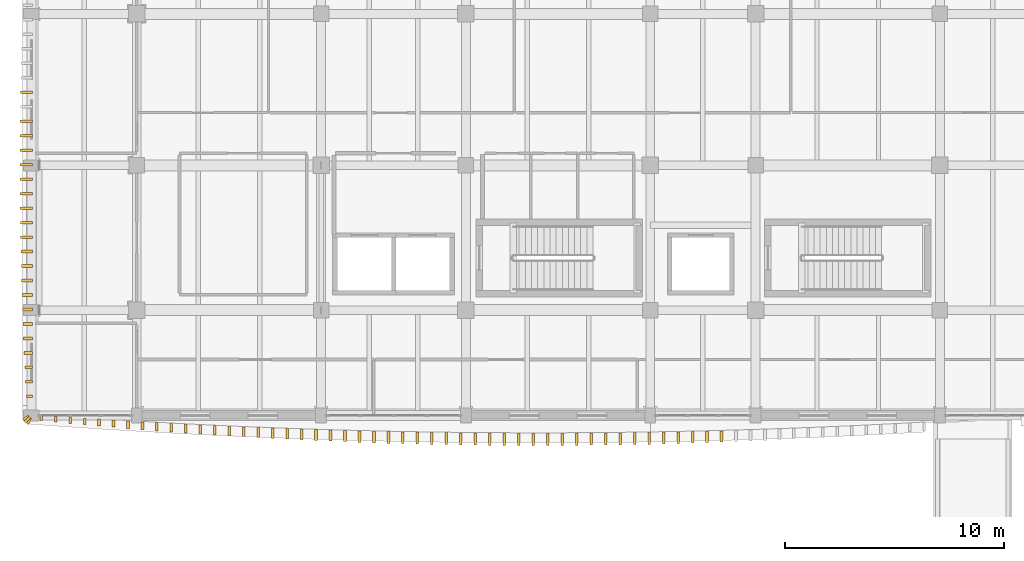
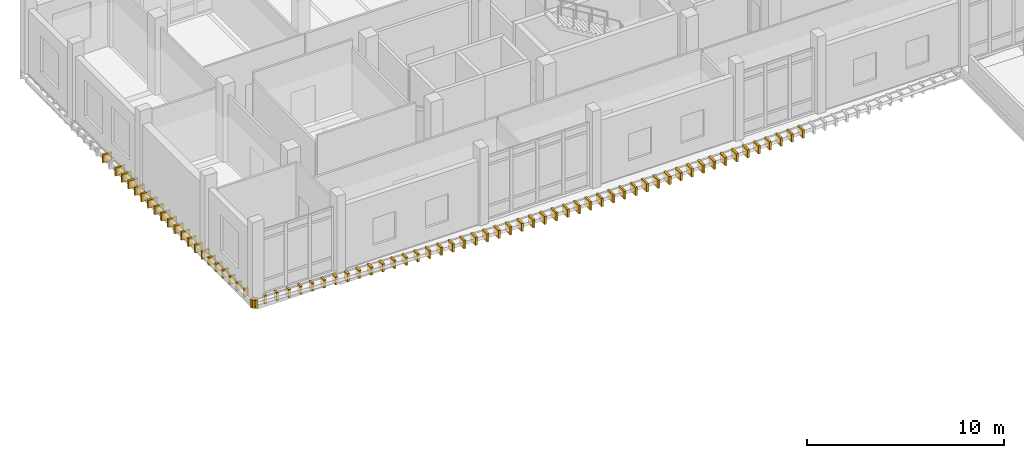
# One storey, part 69 of 76: 72 coverings.
"""IFC4 building model written with IfcOpenShell, lengths in metres."""

from ifc_helpers import new_model, si_unit, direction, frame, origin, origin_2d, place, context, subcontext, project, spatial, rectangle, extrude, material, layer, layer_set, type_object, element, save


model = new_model("IFC4")

# Units and contexts
model_context = context("Model", 3, precision=1e-05, world=origin(), true_north=direction((0.0, 1.0)))
body_context = subcontext(model_context, "Body", "Model", "MODEL_VIEW")
ifc_project = project(units=[si_unit("LENGTHUNIT", "METRE"), si_unit("AREAUNIT", "SQUARE_METRE"), si_unit("VOLUMEUNIT", "CUBIC_METRE"), si_unit("PLANEANGLEUNIT", "RADIAN"), si_unit("MASSUNIT", "GRAM", prefix="KILO")], contexts=[model_context])

# Site, building, storey
site_placement = place(None, origin())
site = spatial("IfcSite", under=ifc_project, at=site_placement, CompositionType="ELEMENT")
building_placement = place(site_placement, origin())
building = spatial("IfcBuilding", under=site, at=building_placement, Name="Dornvale Research Institute", CompositionType="ELEMENT")
storey_placement = place(building_placement, frame((0.0, 0.0, 15.0)))
storey = spatial("IfcBuildingStorey", under=building, at=storey_placement, Name="L03", CompositionType="ELEMENT", Elevation=15.0)

# Coverings
ifc_material = material(Name="Polychrome Glazed Terracotta Visor Rib Ceramic", Category="masonry")
ifc_layer = layer(ifc_material, 0.1201171875)
ifc_layer_set = layer_set([ifc_layer], Name="Polychrome Glazed Terracotta Visor Rib Ceramic")
covering_type = type_object("IfcCoveringType", Name="Covering_VisorBlade_Main", PredefinedType="CLADDING", material=ifc_layer_set)
covering_1_placement = place(storey_placement, frame((0.448974609375, 98.8916015625, -0.489990234375), z_axis=(0.0, 0.0, 1.0), x_axis=(0.0, 1.0, 0.0)))
element("IfcCovering", 1, at=covering_1_placement, inside=storey, type_object=covering_type, Name="L03 V5 canted glazed terracotta visor blade #411", PredefinedType="CLADDING", context=body_context, shape_type="SweptSolid", body=[
    extrude(rectangle(XDim=0.23291015625, YDim=0.1201171875, at=origin_2d()), origin(), (0.0, 0.0, 1.0), 0.5),
])
covering_2_placement = place(storey_placement, frame((1.107177734375, 98.83544921875, -0.489990234375), z_axis=(0.0, 0.0, 1.0), x_axis=(0.0, 1.0, 0.0)))
element("IfcCovering", 2, at=covering_2_placement, inside=storey, type_object=covering_type, Name="L03 V5 canted glazed terracotta visor blade #412", PredefinedType="CLADDING", context=body_context, shape_type="SweptSolid", body=[
    extrude(rectangle(XDim=0.251953125, YDim=0.1201171875, at=origin_2d()), origin(), (0.0, 0.0, 1.0), 0.5),
])
covering_3_placement = place(storey_placement, frame((1.765625, 98.7802734375, -0.489990234375), z_axis=(0.0, 0.0, 1.0), x_axis=(0.0, 1.0, 0.0)))
element("IfcCovering", 3, at=covering_3_placement, inside=storey, type_object=covering_type, Name="L03 V5 canted glazed terracotta visor blade #413", PredefinedType="CLADDING", context=body_context, shape_type="SweptSolid", body=[
    extrude(rectangle(XDim=0.27001953125, YDim=0.1201171875, at=origin_2d()), origin(), (0.0, 0.0, 1.0), 0.5),
])
covering_4_placement = place(storey_placement, frame((2.42431640625, 98.72802734375, -0.489990234375), z_axis=(0.0, 0.0, 1.0), x_axis=(0.0, 1.0, 0.0)))
element("IfcCovering", 4, at=covering_4_placement, inside=storey, type_object=covering_type, Name="L03 V5 canted glazed terracotta visor blade #414", PredefinedType="CLADDING", context=body_context, shape_type="SweptSolid", body=[
    extrude(rectangle(XDim=0.2880859375, YDim=0.1201171875, at=origin_2d()), origin(), (0.0, 0.0, 1.0), 0.5),
])
covering_5_placement = place(storey_placement, frame((3.082763671875, 98.67626953125, -0.489990234375), z_axis=(0.0, 0.0, 1.0), x_axis=(0.0, 1.0, 0.0)))
element("IfcCovering", 5, at=covering_5_placement, inside=storey, type_object=covering_type, Name="L03 V5 canted glazed terracotta visor blade #415", PredefinedType="CLADDING", context=body_context, shape_type="SweptSolid", body=[
    extrude(rectangle(XDim=0.304931640625, YDim=0.1201171875, at=origin_2d()), origin(), (0.0, 0.0, 1.0), 0.5),
])
covering_6_placement = place(storey_placement, frame((3.741455078125, 98.627197265625, -0.489990234375), z_axis=(0.0, 0.0, 1.0), x_axis=(0.0, 1.0, 0.0)))
element("IfcCovering", 6, at=covering_6_placement, inside=storey, type_object=covering_type, Name="L03 V5 canted glazed terracotta visor blade #416", PredefinedType="CLADDING", context=body_context, shape_type="SweptSolid", body=[
    extrude(rectangle(XDim=0.321044921875, YDim=0.1201171875, at=origin_2d()), origin(), (0.0, 0.0, 1.0), 0.5),
])
covering_7_placement = place(storey_placement, frame((4.400390625, 98.579345703125, -0.489990234375), z_axis=(0.0, 0.0, 1.0), x_axis=(0.0, 1.0, 0.0)))
element("IfcCovering", 7, at=covering_7_placement, inside=storey, type_object=covering_type, Name="L03 V5 canted glazed terracotta visor blade #417", PredefinedType="CLADDING", context=body_context, shape_type="SweptSolid", body=[
    extrude(rectangle(XDim=0.3369140625, YDim=0.1201171875, at=origin_2d()), origin(), (0.0, 0.0, 1.0), 0.5),
])
covering_8_placement = place(storey_placement, frame((5.05908203125, 98.5322265625, -0.489990234375), z_axis=(0.0, 0.0, 1.0), x_axis=(0.0, 1.0, 0.0)))
element("IfcCovering", 8, at=covering_8_placement, inside=storey, type_object=covering_type, Name="L03 V5 canted glazed terracotta visor blade #418", PredefinedType="CLADDING", context=body_context, shape_type="SweptSolid", body=[
    extrude(rectangle(XDim=0.35302734375, YDim=0.1201171875, at=origin_2d()), origin(), (0.0, 0.0, 1.0), 0.5),
])
covering_9_placement = place(storey_placement, frame((5.718017578125, 98.48828125, -0.489990234375), z_axis=(0.0, 0.0, 1.0), x_axis=(0.0, 1.0, 0.0)))
element("IfcCovering", 9, at=covering_9_placement, inside=storey, type_object=covering_type, Name="L03 V5 canted glazed terracotta visor blade #419", PredefinedType="CLADDING", context=body_context, shape_type="SweptSolid", body=[
    extrude(rectangle(XDim=0.367919921875, YDim=0.1201171875, at=origin_2d()), origin(), (0.0, 0.0, 1.0), 0.5),
])
covering_10_placement = place(storey_placement, frame((6.377197265625, 98.445068359375, -0.489990234375), z_axis=(0.0, 0.0, 1.0), x_axis=(0.0, 1.0, 0.0)))
element("IfcCovering", 10, at=covering_10_placement, inside=storey, type_object=covering_type, Name="L03 V5 canted glazed terracotta visor blade #420", PredefinedType="CLADDING", context=body_context, shape_type="SweptSolid", body=[
    extrude(rectangle(XDim=0.382080078125, YDim=0.1201171875, at=origin_2d()), origin(), (0.0, 0.0, 1.0), 0.5),
])
covering_11_placement = place(storey_placement, frame((7.0361328125, 98.40380859375, -0.489990234375), z_axis=(0.0, 0.0, 1.0), x_axis=(0.0, 1.0, 0.0)))
element("IfcCovering", 11, at=covering_11_placement, inside=storey, type_object=covering_type, Name="L03 V5 canted glazed terracotta visor blade #421", PredefinedType="CLADDING", context=body_context, shape_type="SweptSolid", body=[
    extrude(rectangle(XDim=0.39599609375, YDim=0.1201171875, at=origin_2d()), origin(), (0.0, 0.0, 1.0), 0.5),
])
covering_12_placement = place(storey_placement, frame((7.6953125, 98.364501953125, -0.489990234375), z_axis=(0.0, 0.0, 1.0), x_axis=(0.0, 1.0, 0.0)))
element("IfcCovering", 12, at=covering_12_placement, inside=storey, type_object=covering_type, Name="L03 V5 canted glazed terracotta visor blade #422", PredefinedType="CLADDING", context=body_context, shape_type="SweptSolid", body=[
    extrude(rectangle(XDim=0.408935546875, YDim=0.1201171875, at=origin_2d()), origin(), (0.0, 0.0, 1.0), 0.5),
])
covering_13_placement = place(storey_placement, frame((8.3544921875, 98.32568359375, -0.489990234375), z_axis=(0.0, 0.0, 1.0), x_axis=(0.0, 1.0, 0.0)))
element("IfcCovering", 13, at=covering_13_placement, inside=storey, type_object=covering_type, Name="L03 V5 canted glazed terracotta visor blade #423", PredefinedType="CLADDING", context=body_context, shape_type="SweptSolid", body=[
    extrude(rectangle(XDim=0.422119140625, YDim=0.1201171875, at=origin_2d()), origin(), (0.0, 0.0, 1.0), 0.5),
])
covering_14_placement = place(storey_placement, frame((9.013916015625, 98.290283203125, -0.489990234375), z_axis=(0.0, 0.0, 1.0), x_axis=(0.0, 1.0, 0.0)))
element("IfcCovering", 14, at=covering_14_placement, inside=storey, type_object=covering_type, Name="L03 V5 canted glazed terracotta visor blade #424", PredefinedType="CLADDING", context=body_context, shape_type="SweptSolid", body=[
    extrude(rectangle(XDim=0.43408203125, YDim=0.1201171875, at=origin_2d()), origin(), (0.0, 0.0, 1.0), 0.5),
])
covering_15_placement = place(storey_placement, frame((9.67333984375, 98.255126953125, -0.489990234375), z_axis=(0.0, 0.0, 1.0), x_axis=(0.0, 1.0, 0.0)))
element("IfcCovering", 15, at=covering_15_placement, inside=storey, type_object=covering_type, Name="L03 V5 canted glazed terracotta visor blade #425", PredefinedType="CLADDING", context=body_context, shape_type="SweptSolid", body=[
    extrude(rectangle(XDim=0.445068359375, YDim=0.1201171875, at=origin_2d()), origin(), (0.0, 0.0, 1.0), 0.5),
])
covering_16_placement = place(storey_placement, frame((10.332763671875, 98.222412109375, -0.489990234375), z_axis=(0.0, 0.0, 1.0), x_axis=(0.0, 1.0, 0.0)))
element("IfcCovering", 16, at=covering_16_placement, inside=storey, type_object=covering_type, Name="L03 V5 canted glazed terracotta visor blade #426", PredefinedType="CLADDING", context=body_context, shape_type="SweptSolid", body=[
    extrude(rectangle(XDim=0.4560546875, YDim=0.1201171875, at=origin_2d()), origin(), (0.0, 0.0, 1.0), 0.5),
])
covering_17_placement = place(storey_placement, frame((10.9921875, 98.19091796875, -0.489990234375), z_axis=(0.0, 0.0, 1.0), x_axis=(0.0, 1.0, 0.0)))
element("IfcCovering", 17, at=covering_17_placement, inside=storey, type_object=covering_type, Name="L03 V5 canted glazed terracotta visor blade #427", PredefinedType="CLADDING", context=body_context, shape_type="SweptSolid", body=[
    extrude(rectangle(XDim=0.467041015625, YDim=0.1201171875, at=origin_2d()), origin(), (0.0, 0.0, 1.0), 0.5),
])
covering_18_placement = place(storey_placement, frame((11.651611328125, 98.160400390625, -0.489990234375), z_axis=(0.0, 0.0, 1.0), x_axis=(0.0, 1.0, 0.0)))
element("IfcCovering", 18, at=covering_18_placement, inside=storey, type_object=covering_type, Name="L03 V5 canted glazed terracotta visor blade #428", PredefinedType="CLADDING", context=body_context, shape_type="SweptSolid", body=[
    extrude(rectangle(XDim=0.47705078125, YDim=0.1201171875, at=origin_2d()), origin(), (0.0, 0.0, 1.0), 0.5),
])
covering_19_placement = place(storey_placement, frame((12.311279296875, 98.133544921875, -0.489990234375), z_axis=(0.0, 0.0, 1.0), x_axis=(0.0, 1.0, 0.0)))
element("IfcCovering", 19, at=covering_19_placement, inside=storey, type_object=covering_type, Name="L03 V5 canted glazed terracotta visor blade #429", PredefinedType="CLADDING", context=body_context, shape_type="SweptSolid", body=[
    extrude(rectangle(XDim=0.486083984375, YDim=0.1201171875, at=origin_2d()), origin(), (0.0, 0.0, 1.0), 0.5),
])
covering_20_placement = place(storey_placement, frame((12.970947265625, 98.1064453125, -0.489990234375), z_axis=(0.0, 0.0, 1.0), x_axis=(0.0, 1.0, 0.0)))
element("IfcCovering", 20, at=covering_20_placement, inside=storey, type_object=covering_type, Name="L03 V5 canted glazed terracotta visor blade #430", PredefinedType="CLADDING", context=body_context, shape_type="SweptSolid", body=[
    extrude(rectangle(XDim=0.4951171875, YDim=0.1201171875, at=origin_2d()), origin(), (0.0, 0.0, 1.0), 0.5),
])
covering_21_placement = place(storey_placement, frame((13.630615234375, 98.082275390625, -0.489990234375), z_axis=(0.0, 0.0, 1.0), x_axis=(0.0, 1.0, 0.0)))
element("IfcCovering", 21, at=covering_21_placement, inside=storey, type_object=covering_type, Name="L03 V5 canted glazed terracotta visor blade #431", PredefinedType="CLADDING", context=body_context, shape_type="SweptSolid", body=[
    extrude(rectangle(XDim=0.5029296875, YDim=0.1201171875, at=origin_2d()), origin(), (0.0, 0.0, 1.0), 0.5),
])
covering_22_placement = place(storey_placement, frame((14.290283203125, 98.05908203125, -0.489990234375), z_axis=(0.0, 0.0, 1.0), x_axis=(0.0, 1.0, 0.0)))
element("IfcCovering", 22, at=covering_22_placement, inside=storey, type_object=covering_type, Name="L03 V5 canted glazed terracotta visor blade #432", PredefinedType="CLADDING", context=body_context, shape_type="SweptSolid", body=[
    extrude(rectangle(XDim=0.510986328125, YDim=0.1201171875, at=origin_2d()), origin(), (0.0, 0.0, 1.0), 0.5),
])
covering_23_placement = place(storey_placement, frame((14.9501953125, 98.037109375, -0.489990234375), z_axis=(0.0, 0.0, 1.0), x_axis=(0.0, 1.0, 0.0)))
element("IfcCovering", 23, at=covering_23_placement, inside=storey, type_object=covering_type, Name="L03 V5 canted glazed terracotta visor blade #433", PredefinedType="CLADDING", context=body_context, shape_type="SweptSolid", body=[
    extrude(rectangle(XDim=0.51806640625, YDim=0.1201171875, at=origin_2d()), origin(), (0.0, 0.0, 1.0), 0.5),
])
covering_24_placement = place(storey_placement, frame((15.60986328125, 98.018310546875, -0.489990234375), z_axis=(0.0, 0.0, 1.0), x_axis=(0.0, 1.0, 0.0)))
element("IfcCovering", 24, at=covering_24_placement, inside=storey, type_object=covering_type, Name="L03 V5 canted glazed terracotta visor blade #434", PredefinedType="CLADDING", context=body_context, shape_type="SweptSolid", body=[
    extrude(rectangle(XDim=0.52392578125, YDim=0.1201171875, at=origin_2d()), origin(), (0.0, 0.0, 1.0), 0.5),
])
covering_25_placement = place(storey_placement, frame((16.269775390625, 97.999755859375, -0.489990234375), z_axis=(0.0, 0.0, 1.0), x_axis=(0.0, 1.0, 0.0)))
element("IfcCovering", 25, at=covering_25_placement, inside=storey, type_object=covering_type, Name="L03 V5 canted glazed terracotta visor blade #435", PredefinedType="CLADDING", context=body_context, shape_type="SweptSolid", body=[
    extrude(rectangle(XDim=0.530029296875, YDim=0.1201171875, at=origin_2d()), origin(), (0.0, 0.0, 1.0), 0.5),
])
covering_26_placement = place(storey_placement, frame((16.9296875, 97.9833984375, -0.489990234375), z_axis=(0.0, 0.0, 1.0), x_axis=(0.0, 1.0, 0.0)))
element("IfcCovering", 26, at=covering_26_placement, inside=storey, type_object=covering_type, Name="L03 V5 canted glazed terracotta visor blade #436", PredefinedType="CLADDING", context=body_context, shape_type="SweptSolid", body=[
    extrude(rectangle(XDim=0.535888671875, YDim=0.1201171875, at=origin_2d()), origin(), (0.0, 0.0, 1.0), 0.5),
])
covering_27_placement = place(storey_placement, frame((17.589599609375, 97.96875, -0.489990234375), z_axis=(0.0, 0.0, 1.0), x_axis=(0.0, 1.0, 0.0)))
element("IfcCovering", 27, at=covering_27_placement, inside=storey, type_object=covering_type, Name="L03 V5 canted glazed terracotta visor blade #437", PredefinedType="CLADDING", context=body_context, shape_type="SweptSolid", body=[
    extrude(rectangle(XDim=0.541015625, YDim=0.1201171875, at=origin_2d()), origin(), (0.0, 0.0, 1.0), 0.5),
])
covering_28_placement = place(storey_placement, frame((18.24951171875, 97.955078125, -0.489990234375), z_axis=(0.0, 0.0, 1.0), x_axis=(0.0, 1.0, 0.0)))
element("IfcCovering", 28, at=covering_28_placement, inside=storey, type_object=covering_type, Name="L03 V5 canted glazed terracotta visor blade #438", PredefinedType="CLADDING", context=body_context, shape_type="SweptSolid", body=[
    extrude(rectangle(XDim=0.544921875, YDim=0.1201171875, at=origin_2d()), origin(), (0.0, 0.0, 1.0), 0.5),
])
covering_29_placement = place(storey_placement, frame((18.9091796875, 97.944580078125, -0.489990234375), z_axis=(0.0, 0.0, 1.0), x_axis=(0.0, 1.0, 0.0)))
element("IfcCovering", 29, at=covering_29_placement, inside=storey, type_object=covering_type, Name="L03 V5 canted glazed terracotta visor blade #439", PredefinedType="CLADDING", context=body_context, shape_type="SweptSolid", body=[
    extrude(rectangle(XDim=0.549072265625, YDim=0.1201171875, at=origin_2d()), origin(), (0.0, 0.0, 1.0), 0.5),
])
covering_30_placement = place(storey_placement, frame((19.5693359375, 97.934326171875, -0.489990234375), z_axis=(0.0, 0.0, 1.0), x_axis=(0.0, 1.0, 0.0)))
element("IfcCovering", 30, at=covering_30_placement, inside=storey, type_object=covering_type, Name="L03 V5 canted glazed terracotta visor blade #440", PredefinedType="CLADDING", context=body_context, shape_type="SweptSolid", body=[
    extrude(rectangle(XDim=0.552001953125, YDim=0.1201171875, at=origin_2d()), origin(), (0.0, 0.0, 1.0), 0.5),
])
covering_31_placement = place(storey_placement, frame((20.229248046875, 97.926513671875, -0.489990234375), z_axis=(0.0, 0.0, 1.0), x_axis=(0.0, 1.0, 0.0)))
element("IfcCovering", 31, at=covering_31_placement, inside=storey, type_object=covering_type, Name="L03 V5 canted glazed terracotta visor blade #441", PredefinedType="CLADDING", context=body_context, shape_type="SweptSolid", body=[
    extrude(rectangle(XDim=0.554931640625, YDim=0.1201171875, at=origin_2d()), origin(), (0.0, 0.0, 1.0), 0.5),
])
covering_32_placement = place(storey_placement, frame((20.88916015625, 97.920166015625, -0.489990234375), z_axis=(0.0, 0.0, 1.0), x_axis=(0.0, 1.0, 0.0)))
element("IfcCovering", 32, at=covering_32_placement, inside=storey, type_object=covering_type, Name="L03 V5 canted glazed terracotta visor blade #442", PredefinedType="CLADDING", context=body_context, shape_type="SweptSolid", body=[
    extrude(rectangle(XDim=0.556884765625, YDim=0.1201171875, at=origin_2d()), origin(), (0.0, 0.0, 1.0), 0.5),
])
covering_33_placement = place(storey_placement, frame((21.54931640625, 97.9150390625, -0.489990234375), z_axis=(0.0, 0.0, 1.0), x_axis=(0.0, 1.0, 0.0)))
element("IfcCovering", 33, at=covering_33_placement, inside=storey, type_object=covering_type, Name="L03 V5 canted glazed terracotta visor blade #443", PredefinedType="CLADDING", context=body_context, shape_type="SweptSolid", body=[
    extrude(rectangle(XDim=0.55810546875, YDim=0.1201171875, at=origin_2d()), origin(), (0.0, 0.0, 1.0), 0.5),
])
covering_34_placement = place(storey_placement, frame((22.209228515625, 97.912841796875, -0.489990234375), z_axis=(0.0, 0.0, 1.0), x_axis=(0.0, 1.0, 0.0)))
element("IfcCovering", 34, at=covering_34_placement, inside=storey, type_object=covering_type, Name="L03 V5 canted glazed terracotta visor blade #444", PredefinedType="CLADDING", context=body_context, shape_type="SweptSolid", body=[
    extrude(rectangle(XDim=0.55908203125, YDim=0.1201171875, at=origin_2d()), origin(), (0.0, 0.0, 1.0), 0.5),
])
for number, where, z_axis, x_axis, name in (
    (35, (22.869140625, 97.91064453125, -0.489990234375), (0.0, 0.0, 1.0), (0.0, 1.0, 0.0), "L03 V5 canted glazed terracotta visor blade #445"),
    (36, (23.529296875, 97.9111328125, -0.489990234375), (0.0, 0.0, 1.0), (0.0, 1.0, 0.0), "L03 V5 canted glazed terracotta visor blade #446"),
):
    element("IfcCovering", number, at=place(storey_placement, frame(where, z_axis=z_axis, x_axis=x_axis)), inside=storey, type_object=covering_type, Name=name, PredefinedType="CLADDING", context=body_context, shape_type="SweptSolid", body=[
        extrude(rectangle(XDim=0.56005859375, YDim=0.1201171875, at=origin_2d()), origin(), (0.0, 0.0, 1.0), 0.5),
    ])
covering_35_placement = place(storey_placement, frame((24.189208984375, 97.913330078125, -0.489990234375), z_axis=(0.0, 0.0, 1.0), x_axis=(0.0, 1.0, 0.0)))
element("IfcCovering", 37, at=covering_35_placement, inside=storey, type_object=covering_type, Name="L03 V5 canted glazed terracotta visor blade #447", PredefinedType="CLADDING", context=body_context, shape_type="SweptSolid", body=[
    extrude(rectangle(XDim=0.55908203125, YDim=0.1201171875, at=origin_2d()), origin(), (0.0, 0.0, 1.0), 0.5),
])
covering_36_placement = place(storey_placement, frame((24.84912109375, 97.916015625, -0.489990234375), z_axis=(0.0, 0.0, 1.0), x_axis=(0.0, 1.0, 0.0)))
element("IfcCovering", 38, at=covering_36_placement, inside=storey, type_object=covering_type, Name="L03 V5 canted glazed terracotta visor blade #448", PredefinedType="CLADDING", context=body_context, shape_type="SweptSolid", body=[
    extrude(rectangle(XDim=0.55810546875, YDim=0.1201171875, at=origin_2d()), origin(), (0.0, 0.0, 1.0), 0.5),
])
covering_37_placement = place(storey_placement, frame((25.50927734375, 97.92236328125, -0.489990234375), z_axis=(0.0, 0.0, 1.0), x_axis=(0.0, 1.0, 0.0)))
element("IfcCovering", 39, at=covering_37_placement, inside=storey, type_object=covering_type, Name="L03 V5 canted glazed terracotta visor blade #449", PredefinedType="CLADDING", context=body_context, shape_type="SweptSolid", body=[
    extrude(rectangle(XDim=0.555908203125, YDim=0.1201171875, at=origin_2d()), origin(), (0.0, 0.0, 1.0), 0.5),
])
covering_38_placement = place(storey_placement, frame((26.169189453125, 97.928466796875, -0.489990234375), z_axis=(0.0, 0.0, 1.0), x_axis=(0.0, 1.0, 0.0)))
element("IfcCovering", 40, at=covering_38_placement, inside=storey, type_object=covering_type, Name="L03 V5 canted glazed terracotta visor blade #450", PredefinedType="CLADDING", context=body_context, shape_type="SweptSolid", body=[
    extrude(rectangle(XDim=0.553955078125, YDim=0.1201171875, at=origin_2d()), origin(), (0.0, 0.0, 1.0), 0.5),
])
covering_39_placement = place(storey_placement, frame((26.8291015625, 97.9375, -0.489990234375), z_axis=(0.0, 0.0, 1.0), x_axis=(0.0, 1.0, 0.0)))
element("IfcCovering", 41, at=covering_39_placement, inside=storey, type_object=covering_type, Name="L03 V5 canted glazed terracotta visor blade #451", PredefinedType="CLADDING", context=body_context, shape_type="SweptSolid", body=[
    extrude(rectangle(XDim=0.551025390625, YDim=0.1201171875, at=origin_2d()), origin(), (0.0, 0.0, 1.0), 0.5),
])
covering_40_placement = place(storey_placement, frame((27.489013671875, 97.947509765625, -0.489990234375), z_axis=(0.0, 0.0, 1.0), x_axis=(0.0, 1.0, 0.0)))
element("IfcCovering", 42, at=covering_40_placement, inside=storey, type_object=covering_type, Name="L03 V5 canted glazed terracotta visor blade #452", PredefinedType="CLADDING", context=body_context, shape_type="SweptSolid", body=[
    extrude(rectangle(XDim=0.548095703125, YDim=0.1201171875, at=origin_2d()), origin(), (0.0, 0.0, 1.0), 0.5),
])
covering_41_placement = place(storey_placement, frame((28.14892578125, 97.958740234375, -0.489990234375), z_axis=(0.0, 0.0, 1.0), x_axis=(0.0, 1.0, 0.0)))
element("IfcCovering", 43, at=covering_41_placement, inside=storey, type_object=covering_type, Name="L03 V5 canted glazed terracotta visor blade #453", PredefinedType="CLADDING", context=body_context, shape_type="SweptSolid", body=[
    extrude(rectangle(XDim=0.5439453125, YDim=0.1201171875, at=origin_2d()), origin(), (0.0, 0.0, 1.0), 0.5),
])
covering_42_placement = place(storey_placement, frame((28.808837890625, 97.973388671875, -0.489990234375), z_axis=(0.0, 0.0, 1.0), x_axis=(0.0, 1.0, 0.0)))
element("IfcCovering", 44, at=covering_42_placement, inside=storey, type_object=covering_type, Name="L03 V5 canted glazed terracotta visor blade #454", PredefinedType="CLADDING", context=body_context, shape_type="SweptSolid", body=[
    extrude(rectangle(XDim=0.5390625, YDim=0.1201171875, at=origin_2d()), origin(), (0.0, 0.0, 1.0), 0.5),
])
covering_43_placement = place(storey_placement, frame((29.46875, 97.988037109375, -0.489990234375), z_axis=(0.0, 0.0, 1.0), x_axis=(0.0, 1.0, 0.0)))
element("IfcCovering", 45, at=covering_43_placement, inside=storey, type_object=covering_type, Name="L03 V5 canted glazed terracotta visor blade #455", PredefinedType="CLADDING", context=body_context, shape_type="SweptSolid", body=[
    extrude(rectangle(XDim=0.533935546875, YDim=0.1201171875, at=origin_2d()), origin(), (0.0, 0.0, 1.0), 0.5),
])
covering_44_placement = place(storey_placement, frame((30.128662109375, 98.0048828125, -0.489990234375), z_axis=(0.0, 0.0, 1.0), x_axis=(0.0, 1.0, 0.0)))
element("IfcCovering", 46, at=covering_44_placement, inside=storey, type_object=covering_type, Name="L03 V5 canted glazed terracotta visor blade #456", PredefinedType="CLADDING", context=body_context, shape_type="SweptSolid", body=[
    extrude(rectangle(XDim=0.529052734375, YDim=0.1201171875, at=origin_2d()), origin(), (0.0, 0.0, 1.0), 0.5),
])
covering_45_placement = place(storey_placement, frame((30.788330078125, 98.024169921875, -0.489990234375), z_axis=(0.0, 0.0, 1.0), x_axis=(0.0, 1.0, 0.0)))
element("IfcCovering", 47, at=covering_45_placement, inside=storey, type_object=covering_type, Name="L03 V5 canted glazed terracotta visor blade #457", PredefinedType="CLADDING", context=body_context, shape_type="SweptSolid", body=[
    extrude(rectangle(XDim=0.52197265625, YDim=0.1201171875, at=origin_2d()), origin(), (0.0, 0.0, 1.0), 0.5),
])
covering_46_placement = place(storey_placement, frame((31.4482421875, 98.043212890625, -0.489990234375), z_axis=(0.0, 0.0, 1.0), x_axis=(0.0, 1.0, 0.0)))
element("IfcCovering", 48, at=covering_46_placement, inside=storey, type_object=covering_type, Name="L03 V5 canted glazed terracotta visor blade #458", PredefinedType="CLADDING", context=body_context, shape_type="SweptSolid", body=[
    extrude(rectangle(XDim=0.51611328125, YDim=0.1201171875, at=origin_2d()), origin(), (0.0, 0.0, 1.0), 0.5),
])
covering_47_placement = place(storey_placement, frame((-0.22705078125, 113.72998046875, -0.489990234375), z_axis=(0.0, 0.0, 1.0), x_axis=(1.0, 0.0, 0.0)))
element("IfcCovering", 49, at=covering_47_placement, inside=storey, type_object=covering_type, Name="L03 V5 canted glazed terracotta visor blade #589", PredefinedType="CLADDING", context=body_context, shape_type="SweptSolid", body=[
    extrude(rectangle(XDim=0.533935546875, YDim=0.1201171875, at=origin_2d()), origin(), (0.0, 0.0, 1.0), 0.5),
])
covering_48_placement = place(storey_placement, frame((-0.235595703125, 112.409912109375, -0.489990234375), z_axis=(0.0, 0.0, 1.0), x_axis=(1.0, 0.0, 0.0)))
element("IfcCovering", 50, at=covering_48_placement, inside=storey, type_object=covering_type, Name="L03 V5 canted glazed terracotta visor blade #591", PredefinedType="CLADDING", context=body_context, shape_type="SweptSolid", body=[
    extrude(rectangle(XDim=0.551025390625, YDim=0.1201171875, at=origin_2d()), origin(), (0.0, 0.0, 1.0), 0.5),
])
covering_49_placement = place(storey_placement, frame((-0.238037109375, 111.75, -0.489990234375), z_axis=(0.0, 0.0, 1.0), x_axis=(1.0, 0.0, 0.0)))
element("IfcCovering", 51, at=covering_49_placement, inside=storey, type_object=covering_type, Name="L03 V5 canted glazed terracotta visor blade #592", PredefinedType="CLADDING", context=body_context, shape_type="SweptSolid", body=[
    extrude(rectangle(XDim=0.555908203125, YDim=0.1201171875, at=origin_2d()), origin(), (0.0, 0.0, 1.0), 0.5),
])
covering_50_placement = place(storey_placement, frame((-0.239501953125, 111.090087890625, -0.489990234375), z_axis=(0.0, 0.0, 1.0), x_axis=(1.0, 0.0, 0.0)))
element("IfcCovering", 52, at=covering_50_placement, inside=storey, type_object=covering_type, Name="L03 V5 canted glazed terracotta visor blade #593", PredefinedType="CLADDING", context=body_context, shape_type="SweptSolid", body=[
    extrude(rectangle(XDim=0.55908203125, YDim=0.1201171875, at=origin_2d()), origin(), (0.0, 0.0, 1.0), 0.5),
])
covering_51_placement = place(storey_placement, frame((-0.239990234375, 110.429931640625, -0.489990234375), z_axis=(0.0, 0.0, 1.0), x_axis=(1.0, 0.0, 0.0)))
element("IfcCovering", 53, at=covering_51_placement, inside=storey, type_object=covering_type, Name="L03 V5 canted glazed terracotta visor blade #594", PredefinedType="CLADDING", context=body_context, shape_type="SweptSolid", body=[
    extrude(rectangle(XDim=0.56005859375, YDim=0.1201171875, at=origin_2d()), origin(), (0.0, 0.0, 1.0), 0.5),
])
covering_52_placement = place(storey_placement, frame((-0.239013671875, 109.77001953125, -0.489990234375), z_axis=(0.0, 0.0, 1.0), x_axis=(1.0, 0.0, 0.0)))
element("IfcCovering", 54, at=covering_52_placement, inside=storey, type_object=covering_type, Name="L03 V5 canted glazed terracotta visor blade #595", PredefinedType="CLADDING", context=body_context, shape_type="SweptSolid", body=[
    extrude(rectangle(XDim=0.55810546875, YDim=0.1201171875, at=origin_2d()), origin(), (0.0, 0.0, 1.0), 0.5),
])
covering_53_placement = place(storey_placement, frame((-0.237548828125, 109.110107421875, -0.489990234375), z_axis=(0.0, 0.0, 1.0), x_axis=(1.0, 0.0, 0.0)))
element("IfcCovering", 55, at=covering_53_placement, inside=storey, type_object=covering_type, Name="L03 V5 canted glazed terracotta visor blade #596", PredefinedType="CLADDING", context=body_context, shape_type="SweptSolid", body=[
    extrude(rectangle(XDim=0.554931640625, YDim=0.1201171875, at=origin_2d()), origin(), (0.0, 0.0, 1.0), 0.5),
])
covering_54_placement = place(storey_placement, frame((-0.234619140625, 108.449951171875, -0.489990234375), z_axis=(0.0, 0.0, 1.0), x_axis=(1.0, 0.0, 0.0)))
element("IfcCovering", 56, at=covering_54_placement, inside=storey, type_object=covering_type, Name="L03 V5 canted glazed terracotta visor blade #597", PredefinedType="CLADDING", context=body_context, shape_type="SweptSolid", body=[
    extrude(rectangle(XDim=0.549072265625, YDim=0.1201171875, at=origin_2d()), origin(), (0.0, 0.0, 1.0), 0.5),
])
covering_55_placement = place(storey_placement, frame((-0.23046875, 107.7900390625, -0.489990234375), z_axis=(0.0, 0.0, 1.0), x_axis=(1.0, 0.0, 0.0)))
element("IfcCovering", 57, at=covering_55_placement, inside=storey, type_object=covering_type, Name="L03 V5 canted glazed terracotta visor blade #598", PredefinedType="CLADDING", context=body_context, shape_type="SweptSolid", body=[
    extrude(rectangle(XDim=0.541015625, YDim=0.1201171875, at=origin_2d()), origin(), (0.0, 0.0, 1.0), 0.5),
])
covering_56_placement = place(storey_placement, frame((-0.22509765625, 107.1298828125, -0.489990234375), z_axis=(0.0, 0.0, 1.0), x_axis=(1.0, 0.0, 0.0)))
element("IfcCovering", 58, at=covering_56_placement, inside=storey, type_object=covering_type, Name="L03 V5 canted glazed terracotta visor blade #599", PredefinedType="CLADDING", context=body_context, shape_type="SweptSolid", body=[
    extrude(rectangle(XDim=0.530029296875, YDim=0.1201171875, at=origin_2d()), origin(), (0.0, 0.0, 1.0), 0.5),
])
covering_57_placement = place(storey_placement, frame((-0.218994140625, 106.469970703125, -0.489990234375), z_axis=(0.0, 0.0, 1.0), x_axis=(1.0, 0.0, 0.0)))
element("IfcCovering", 59, at=covering_57_placement, inside=storey, type_object=covering_type, Name="L03 V5 canted glazed terracotta visor blade #600", PredefinedType="CLADDING", context=body_context, shape_type="SweptSolid", body=[
    extrude(rectangle(XDim=0.51806640625, YDim=0.1201171875, at=origin_2d()), origin(), (0.0, 0.0, 1.0), 0.5),
])
covering_58_placement = place(storey_placement, frame((-0.21142578125, 105.81005859375, -0.489990234375), z_axis=(0.0, 0.0, 1.0), x_axis=(1.0, 0.0, 0.0)))
element("IfcCovering", 60, at=covering_58_placement, inside=storey, type_object=covering_type, Name="L03 V5 canted glazed terracotta visor blade #601", PredefinedType="CLADDING", context=body_context, shape_type="SweptSolid", body=[
    extrude(rectangle(XDim=0.5029296875, YDim=0.1201171875, at=origin_2d()), origin(), (0.0, 0.0, 1.0), 0.5),
])
covering_59_placement = place(storey_placement, frame((-0.202880859375, 105.14990234375, -0.489990234375), z_axis=(0.0, 0.0, 1.0), x_axis=(1.0, 0.0, 0.0)))
element("IfcCovering", 61, at=covering_59_placement, inside=storey, type_object=covering_type, Name="L03 V5 canted glazed terracotta visor blade #602", PredefinedType="CLADDING", context=body_context, shape_type="SweptSolid", body=[
    extrude(rectangle(XDim=0.486083984375, YDim=0.1201171875, at=origin_2d()), origin(), (0.0, 0.0, 1.0), 0.5),
])
covering_60_placement = place(storey_placement, frame((-0.193115234375, 104.489990234375, -0.489990234375), z_axis=(0.0, 0.0, 1.0), x_axis=(1.0, 0.0, 0.0)))
element("IfcCovering", 62, at=covering_60_placement, inside=storey, type_object=covering_type, Name="L03 V5 canted glazed terracotta visor blade #603", PredefinedType="CLADDING", context=body_context, shape_type="SweptSolid", body=[
    extrude(rectangle(XDim=0.466064453125, YDim=0.1201171875, at=origin_2d()), origin(), (0.0, 0.0, 1.0), 0.5),
])
covering_61_placement = place(storey_placement, frame((-0.1826171875, 103.830078125, -0.489990234375), z_axis=(0.0, 0.0, 1.0), x_axis=(1.0, 0.0, 0.0)))
element("IfcCovering", 63, at=covering_61_placement, inside=storey, type_object=covering_type, Name="L03 V5 canted glazed terracotta visor blade #604", PredefinedType="CLADDING", context=body_context, shape_type="SweptSolid", body=[
    extrude(rectangle(XDim=0.445068359375, YDim=0.1201171875, at=origin_2d()), origin(), (0.0, 0.0, 1.0), 0.5),
])
covering_62_placement = place(storey_placement, frame((-0.17041015625, 103.169921875, -0.489990234375), z_axis=(0.0, 0.0, 1.0), x_axis=(1.0, 0.0, 0.0)))
element("IfcCovering", 64, at=covering_62_placement, inside=storey, type_object=covering_type, Name="L03 V5 canted glazed terracotta visor blade #605", PredefinedType="CLADDING", context=body_context, shape_type="SweptSolid", body=[
    extrude(rectangle(XDim=0.4208984375, YDim=0.1201171875, at=origin_2d()), origin(), (0.0, 0.0, 1.0), 0.5),
])
covering_63_placement = place(storey_placement, frame((-0.157470703125, 102.510009765625, -0.489990234375), z_axis=(0.0, 0.0, 1.0), x_axis=(1.0, 0.0, 0.0)))
element("IfcCovering", 65, at=covering_63_placement, inside=storey, type_object=covering_type, Name="L03 V5 canted glazed terracotta visor blade #606", PredefinedType="CLADDING", context=body_context, shape_type="SweptSolid", body=[
    extrude(rectangle(XDim=0.39501953125, YDim=0.1201171875, at=origin_2d()), origin(), (0.0, 0.0, 1.0), 0.5),
])
covering_64_placement = place(storey_placement, frame((-0.1435546875, 101.85009765625, -0.489990234375), z_axis=(0.0, 0.0, 1.0), x_axis=(1.0, 0.0, 0.0)))
element("IfcCovering", 66, at=covering_64_placement, inside=storey, type_object=covering_type, Name="L03 V5 canted glazed terracotta visor blade #607", PredefinedType="CLADDING", context=body_context, shape_type="SweptSolid", body=[
    extrude(rectangle(XDim=0.366943359375, YDim=0.1201171875, at=origin_2d()), origin(), (0.0, 0.0, 1.0), 0.5),
])
covering_65_placement = place(storey_placement, frame((-0.12841796875, 101.18994140625, -0.489990234375), z_axis=(0.0, 0.0, 1.0), x_axis=(1.0, 0.0, 0.0)))
element("IfcCovering", 67, at=covering_65_placement, inside=storey, type_object=covering_type, Name="L03 V5 canted glazed terracotta visor blade #608", PredefinedType="CLADDING", context=body_context, shape_type="SweptSolid", body=[
    extrude(rectangle(XDim=0.3369140625, YDim=0.1201171875, at=origin_2d()), origin(), (0.0, 0.0, 1.0), 0.5),
])
covering_66_placement = place(storey_placement, frame((-0.112060546875, 100.530029296875, -0.489990234375), z_axis=(0.0, 0.0, 1.0), x_axis=(1.0, 0.0, 0.0)))
element("IfcCovering", 68, at=covering_66_placement, inside=storey, type_object=covering_type, Name="L03 V5 canted glazed terracotta visor blade #609", PredefinedType="CLADDING", context=body_context, shape_type="SweptSolid", body=[
    extrude(rectangle(XDim=0.303955078125, YDim=0.1201171875, at=origin_2d()), origin(), (0.0, 0.0, 1.0), 0.5),
])
covering_67_placement = place(storey_placement, frame((-0.094482421875, 99.8701171875, -0.489990234375), z_axis=(0.0, 0.0, 1.0), x_axis=(1.0, 0.0, 0.0)))
element("IfcCovering", 69, at=covering_67_placement, inside=storey, type_object=covering_type, Name="L03 V5 canted glazed terracotta visor blade #610", PredefinedType="CLADDING", context=body_context, shape_type="SweptSolid", body=[
    extrude(rectangle(XDim=0.26904296875, YDim=0.1201171875, at=origin_2d()), origin(), (0.0, 0.0, 1.0), 0.5),
])
for number, where, z_axis, x_axis, name in (
    (70, (-0.24462890625, 98.885986328125, -0.489990234375), (0.0, 0.0, 1.0), (-0.906307787037, -0.422618261741, 0.0), "L03 V5 corner-wrapping visor blade #611"),
    (71, (-0.19091796875, 98.80908203125, -0.489990234375), (0.0, 0.0, 1.0), (-0.707106781187, -0.707106781187, 0.0), "L03 V5 corner-wrapping visor blade #612"),
    (72, (-0.114013671875, 98.75537109375, -0.489990234375), (0.0, 0.0, 1.0), (-0.422618261741, -0.906307787037, 0.0), "L03 V5 corner-wrapping visor blade #613"),
):
    element("IfcCovering", number, at=place(storey_placement, frame(where, z_axis=z_axis, x_axis=x_axis)), inside=storey, type_object=covering_type, Name=name, PredefinedType="CLADDING", context=body_context, shape_type="SweptSolid", body=[
        extrude(rectangle(XDim=0.320068359375, YDim=0.1201171875, at=origin_2d()), origin(), (0.0, 0.0, 1.0), 0.5),
    ])

save(model, "model.ifc")
